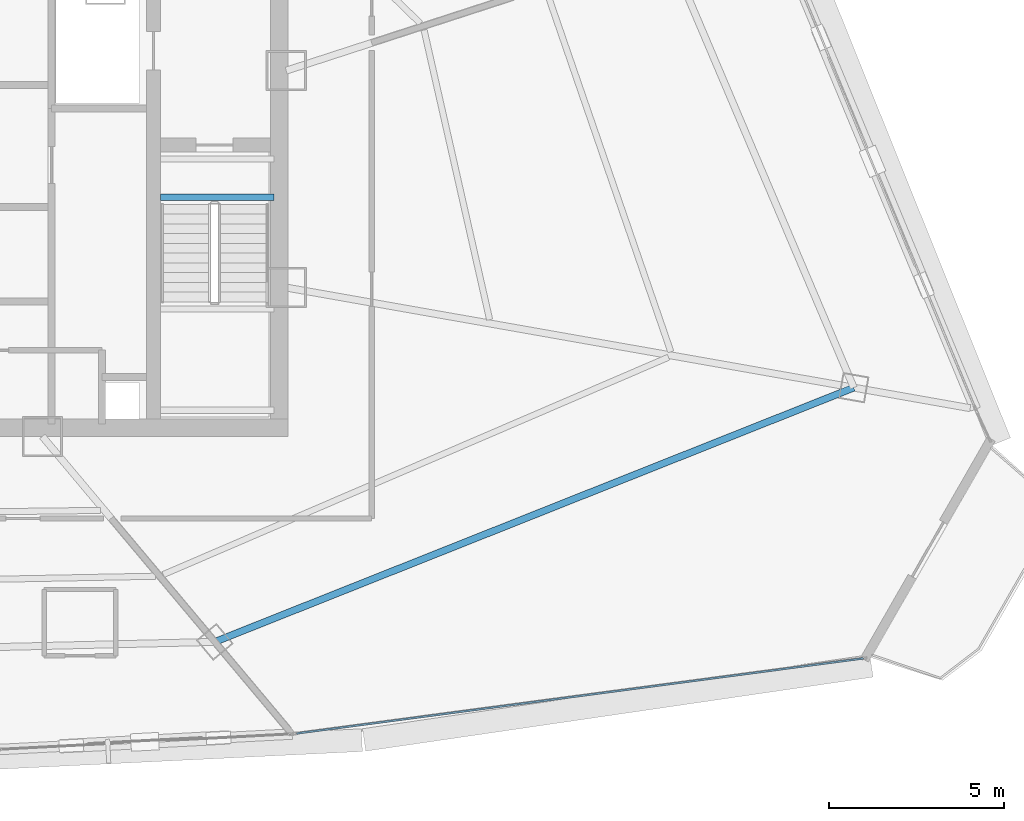
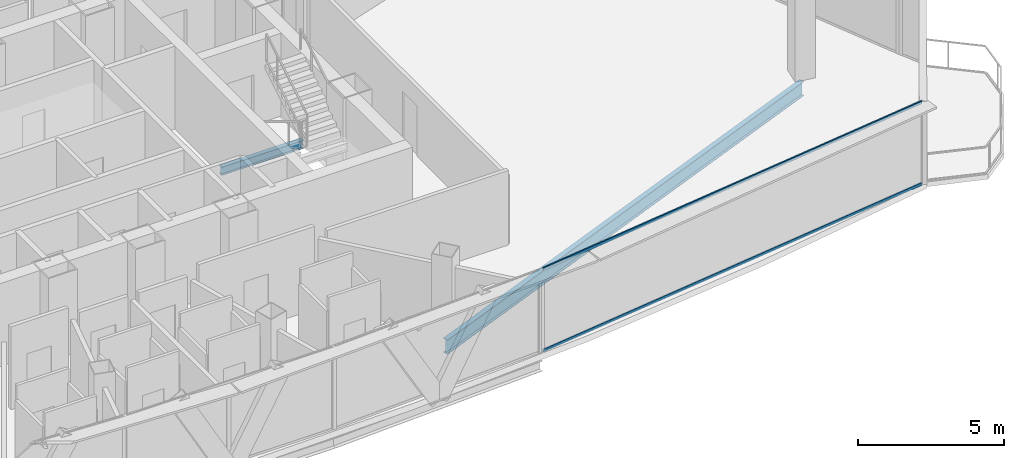
# One storey, part 13 of 37: 2 beams, 2 members, 1 element without a shape of its own.
"""IFC4 building model written with IfcOpenShell, lengths in metres."""

from ifc_helpers import new_model, si_unit, direction, frame, origin, origin_2d, place, context, subcontext, project, spatial, hollow_rectangle, i_section, extrude, source, transform, mapped, material, layer, layer_set, material_profile, profile_set, type_object, element, aggregate, save


model = new_model("IFC4")

# Units and contexts
model_context = context("Model", 3, precision=1e-05, world=origin(), true_north=direction((0.0, 1.0)))
body_context = subcontext(model_context, "Body", "Model", "MODEL_VIEW")
ifc_project = project(units=[si_unit("LENGTHUNIT", "METRE"), si_unit("AREAUNIT", "SQUARE_METRE"), si_unit("VOLUMEUNIT", "CUBIC_METRE"), si_unit("PLANEANGLEUNIT", "RADIAN"), si_unit("MASSUNIT", "GRAM", prefix="KILO"), si_unit("THERMODYNAMICTEMPERATUREUNIT", "KELVIN"), si_unit("POWERUNIT", "WATT")], contexts=[model_context])

# Site, building, storey
site_placement = place(None, origin())
site = spatial("IfcSite", under=ifc_project, at=site_placement, CompositionType="ELEMENT")
building_placement = place(site_placement, origin())
building = spatial("IfcBuilding", under=site, at=building_placement, Name="Yunzhuo Pagoda Commons", CompositionType="ELEMENT")
storey_placement = place(building_placement, frame((0.0, 0.0, 281.2900390625)))
storey = spatial("IfcBuildingStorey", under=building, at=storey_placement, Name="L70", CompositionType="ELEMENT", Elevation=281.2900390625)

# Beams
ifc_material_1 = material(Name="Structural steel Q355B", Category="steel")
ifc_material_profile_1 = material_profile(ifc_material_1, i_section(OverallWidth=0.175048828125, OverallDepth=0.35009765625, WebThickness=0.007080078125, FlangeThickness=0.010986328125, at=origin_2d()), Name="Structural steel Q355B")
ifc_profile_set_1 = profile_set([ifc_material_profile_1], Name="Structural steel Q355B")
beam_type_1 = type_object("IfcBeamType", Name="B-JS2 Joist HN 350x175x7x11", PredefinedType="JOIST", material=ifc_profile_set_1)
shared_shape_1 = source(origin(), body_context, "Body", "SweptSolid", [
    extrude(i_section(OverallWidth=0.175048828125, OverallDepth=0.35009765625, WebThickness=0.007080078125, FlangeThickness=0.010986328125, at=origin_2d()), origin(), (0.0, 0.0, 1.0), 3.25),
])
beam_1_placement = place(storey_placement, frame((56.800048828125, 34.10009765625, -0.375), z_axis=(1.0, 0.0, 0.0), x_axis=(0.0, 1.0, 0.0)))
element("IfcBeam", 1, at=beam_1_placement, inside=storey, type_object=beam_type_1, Name="L70 ST2 landing support beam 174A", PredefinedType="JOIST", context=body_context, shape_type="MappedRepresentation", body=[
    mapped(shared_shape_1, transform((0.0, 0.0, 0.0), scale=1.0)),
])
ifc_material_profile_2 = material_profile(ifc_material_1, i_section(OverallWidth=0.199951171875, OverallDepth=0.60009765625, WebThickness=0.010986328125, FlangeThickness=0.01708984375, at=origin_2d()), Name="Structural steel Q355B")
ifc_profile_set_2 = profile_set([ifc_material_profile_2], Name="Structural steel Q355B")
beam_type_2 = type_object("IfcBeamType", Name="B-RG3 Beam HN 600x200x11x17", PredefinedType="BEAM", material=ifc_profile_set_2)
shared_shape_2 = source(origin(), body_context, "Body", "SweptSolid", [
    extrude(i_section(OverallWidth=0.199951171875, OverallDepth=0.60009765625, WebThickness=0.010986328125, FlangeThickness=0.01708984375, at=origin_2d()), origin(), (0.0, 0.0, 1.0), 19.7041015625),
])
beam_2_placement = place(storey_placement, frame((58.353515625, 21.361572265625, -0.559814453125), z_axis=(0.929150216007, 0.369702415592, 0.0), x_axis=(-0.369702415592, 0.929150216007, 0.0)))
element("IfcBeam", 2, at=beam_2_placement, inside=storey, type_object=beam_type_2, Name="L70 column-ring beam 4", PredefinedType="BEAM", context=body_context, shape_type="MappedRepresentation", body=[
    mapped(shared_shape_2, transform((0.0, 0.0, 0.0), scale=1.0)),
])

# Curtain wall, members
ifc_material_2 = material(Name="Anodized aluminium 6063-T6", Category="aluminium")
ifc_layer = layer(ifc_material_2, 0.139892578125)
ifc_layer_set = layer_set([ifc_layer], Name="Anodized aluminium 6063-T6")
curtain_wall_type = type_object("IfcCurtainWallType", Name="CW-HI High-Zone Ribbon Curtain Wall", PredefinedType="NOTDEFINED", material=ifc_layer_set)
curtain_wall_placement = place(storey_placement, origin())
curtain_wall = element("IfcCurtainWall", 3, at=curtain_wall_placement, inside=storey, type_object=curtain_wall_type, Name="L70 curtain wall CW-L70-F1B5", PredefinedType="NOTDEFINED")
ifc_material_profile_3 = material_profile(ifc_material_2, hollow_rectangle(XDim=0.054931640625, YDim=0.1201171875, WallThickness=0.00341796875, at=origin_2d()), Name="Anodized aluminium 6063-T6")
ifc_profile_set_3 = profile_set([ifc_material_profile_3], Name="Anodized aluminium 6063-T6")
member_type = type_object("IfcMemberType", Name="CW-HI-T Transom RHS 120x55x3.5", PredefinedType="USERDEFINED", material=ifc_profile_set_3)
shared_shape_3 = source(origin(), body_context, "Body", "SweptSolid", [
    extrude(hollow_rectangle(XDim=0.054931640625, YDim=0.1201171875, WallThickness=0.00341796875, at=origin_2d()), origin(), (0.0, 0.0, 1.0), 16.373779296875),
])
member_1_placement = place(storey_placement, frame((60.702392578125, 18.739013671875, 0.02734375), z_axis=(0.991342383134, 0.131302244471, 0.0), x_axis=(-0.131302244471, 0.991342383134, 0.0)))
member_1 = element("IfcMember", 4, at=member_1_placement, type_object=member_type, Name="CW transom 1.1", ObjectType="TRANSOM", PredefinedType="USERDEFINED", context=body_context, shape_type="MappedRepresentation", body=[
    mapped(shared_shape_3, transform((0.0, 0.0, 0.0), scale=1.0)),
])
member_2_placement = place(storey_placement, frame((60.702392578125, 18.739013671875, 3.4423828125), z_axis=(0.991342383134, 0.131302244471, 0.0), x_axis=(-0.131302244471, 0.991342383134, 0.0)))
member_2 = element("IfcMember", 5, at=member_2_placement, type_object=member_type, Name="CW transom 1.2", ObjectType="TRANSOM", PredefinedType="USERDEFINED", context=body_context, shape_type="MappedRepresentation", body=[
    mapped(shared_shape_3, transform((0.0, 0.0, 0.0), scale=1.0)),
])
aggregate(curtain_wall, [member_1, member_2])

save(model, "model.ifc")
